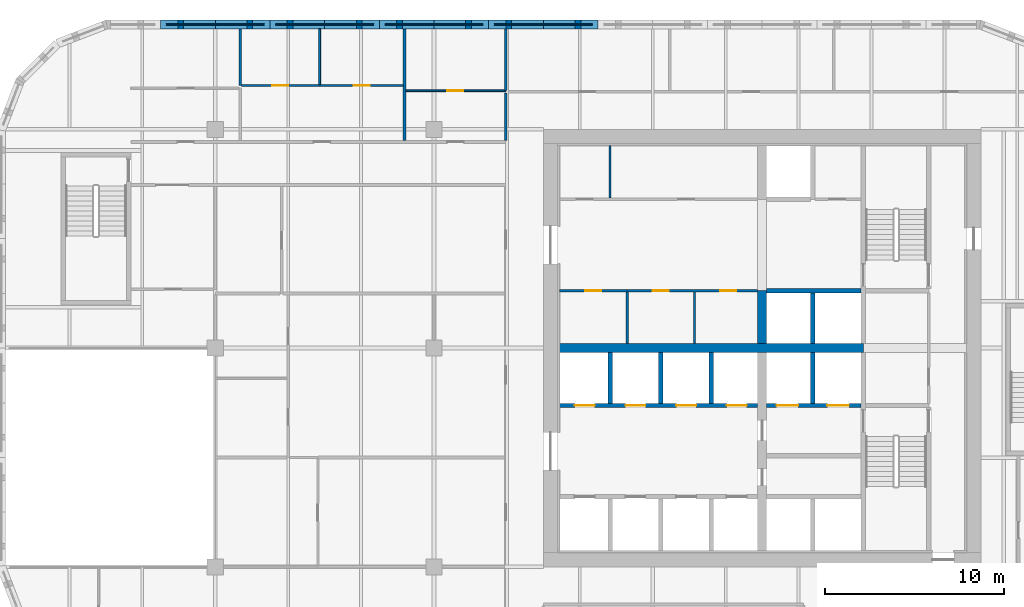
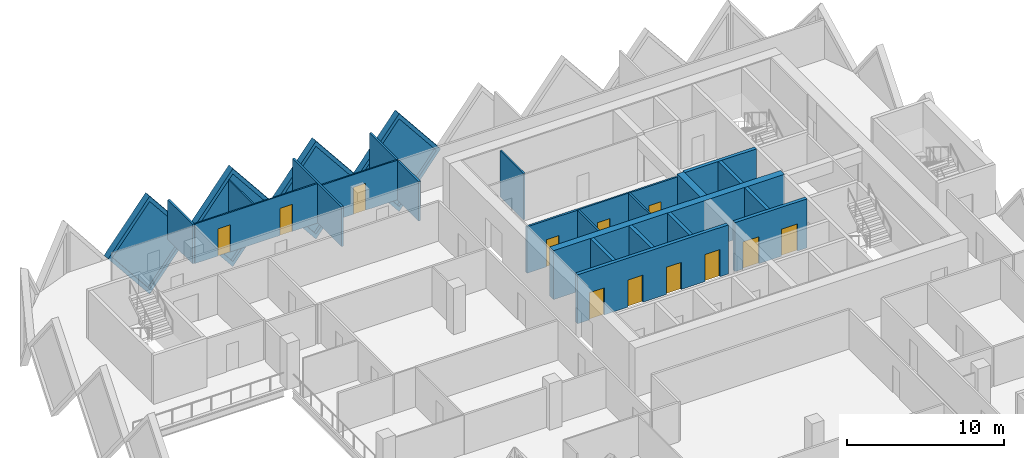
# One storey, part 9 of 18: 26 walls, 12 doors, 4 plates, 16 openings.
"""IFC4 building model written with IfcOpenShell, lengths in metres."""

from ifc_helpers import new_model, si_unit, direction, frame, frame_2d, origin, place, context, subcontext, project, spatial, polyline, rectangle, outline, extrude, faceted_brep, source, transform, mapped, material, layer, layer_set, type_object, element, fill, save


model = new_model("IFC4")

# Units and contexts
model_context = context("Model", 3, precision=1e-05, world=origin(), true_north=direction((0.0, 1.0)))
body_context = subcontext(model_context, "Body", "Model", "MODEL_VIEW")
ifc_project = project(units=[si_unit("LENGTHUNIT", "METRE"), si_unit("AREAUNIT", "SQUARE_METRE"), si_unit("VOLUMEUNIT", "CUBIC_METRE"), si_unit("PLANEANGLEUNIT", "RADIAN"), si_unit("MASSUNIT", "GRAM", prefix="KILO")], contexts=[model_context])

# Site, building, storey
site_placement = place(None, origin())
site = spatial("IfcSite", under=ifc_project, at=site_placement, CompositionType="ELEMENT")
building_placement = place(site_placement, origin())
building = spatial("IfcBuilding", under=site, at=building_placement, Name="Tessera Gate Towers", CompositionType="ELEMENT")
storey_placement = place(building_placement, frame((0.0, 0.0, 99.0)))
storey = spatial("IfcBuildingStorey", under=building, at=storey_placement, Name="L24", CompositionType="ELEMENT", Elevation=99.0)

# Wall, openings, doors
ifc_material_1 = material(Name="Concrete C40/50", Category="concrete")
ifc_layer_1 = layer(ifc_material_1, 0.25)
ifc_layer_set_1 = layer_set([ifc_layer_1], Name="CORE ENCLOSURE WALL 250")
wall_type_1 = type_object("IfcWallType", Name="CORE ENCLOSURE WALL 250", PredefinedType="SOLIDWALL", material=ifc_layer_set_1)
wall_1_placement = place(storey_placement, frame((42.449951171875, 33.39990234375, 0.0), z_axis=(0.0, 0.0, 1.0), x_axis=(-1.0, 0.0, 0.0)))
wall_1 = element("IfcWall", 1, at=wall_1_placement, inside=storey, type_object=wall_type_1, Name="L24 shaft and stair enclosure wall", PredefinedType="SOLIDWALL", context=body_context, shape_type="SweptSolid", body=[
    extrude(rectangle(XDim=11.050048828125, YDim=0.25, at=frame_2d((5.52490234375, 0.0))), origin(), (0.0, 0.0, 1.0), 3.800048828125),
])
shared_shape_1 = source(origin(), body_context, "Body", "SweptSolid", [
    extrude(rectangle(XDim=1.10009765625, YDim=2.10009765625, at=frame_2d((0.550048828125, 1.050048828125))), frame((0.0, 0.135009765625, 0.0), z_axis=(0.0, -1.0, 0.0), x_axis=(1.0, 0.0, 0.0)), (0.0, 0.0, 1.0), 0.27001953125),
])
opening_1_placement = place(wall_1_placement, frame((9.08740234375, 0.0, 0.0)))
opening_1 = element("IfcOpeningElement", 2, at=opening_1_placement, cuts=wall_1, Name="Opening LD-LR5", PredefinedType="OPENING", context=body_context, shape_type="MappedRepresentation", body=[
    mapped(shared_shape_1, transform((0.0, 0.0, 0.0), scale=1.0)),
])
opening_2_placement = place(wall_1_placement, frame((6.262451171875, 0.0, 0.0)))
opening_2 = element("IfcOpeningElement", 3, at=opening_2_placement, cuts=wall_1, Name="Opening LD-LR6", PredefinedType="OPENING", context=body_context, shape_type="MappedRepresentation", body=[
    mapped(shared_shape_1, transform((0.0, 0.0, 0.0), scale=1.0)),
])
opening_3_placement = place(wall_1_placement, frame((3.4375, 0.0, 0.0)))
opening_3 = element("IfcOpeningElement", 4, at=opening_3_placement, cuts=wall_1, Name="Opening LD-LR7", PredefinedType="OPENING", context=body_context, shape_type="MappedRepresentation", body=[
    mapped(shared_shape_1, transform((0.0, 0.0, 0.0), scale=1.0)),
])
opening_4_placement = place(wall_1_placement, frame((0.612548828125, 0.0, 0.0)))
opening_4 = element("IfcOpeningElement", 5, at=opening_4_placement, cuts=wall_1, Name="Opening LD-LR8", PredefinedType="OPENING", context=body_context, shape_type="MappedRepresentation", body=[
    mapped(shared_shape_1, transform((0.0, 0.0, 0.0), scale=1.0)),
])
ifc_material_2 = material(Name="Stainless steel", Category="steel")
door_type_1 = type_object("IfcDoorType", Name="CORE DOOR LD 1100x2100", OperationType="DOUBLE_DOOR_SLIDING", PredefinedType="DOOR", material=ifc_material_2)
shared_shape_2 = source(origin(), body_context, "Body", "SweptSolid", [
    extrude(rectangle(XDim=1.10009765625, YDim=2.10009765625, at=frame_2d((0.550048828125, 1.050048828125))), frame((0.0, 0.02490234375, 0.0), z_axis=(0.0, -1.0, 0.0), x_axis=(1.0, 0.0, 0.0)), (0.0, 0.0, 1.0), 0.050048828125),
])
door_1_placement = place(opening_1_placement, origin())
door_1 = element("IfcDoor", 6, at=door_1_placement, inside=storey, type_object=door_type_1, Name="Landing door LR5 L24", OperationType="DOUBLE_DOOR_SLIDING", OverallHeight=2.10009765625, OverallWidth=1.10009765625, PredefinedType="DOOR", context=body_context, shape_type="MappedRepresentation", body=[
    mapped(shared_shape_2, transform((0.0, 0.0, 0.0), scale=1.0)),
])
fill(opening_1, door_1)
door_2_placement = place(opening_2_placement, origin())
door_2 = element("IfcDoor", 7, at=door_2_placement, inside=storey, type_object=door_type_1, Name="Landing door LR6 L24", OperationType="DOUBLE_DOOR_SLIDING", OverallHeight=2.10009765625, OverallWidth=1.10009765625, PredefinedType="DOOR", context=body_context, shape_type="MappedRepresentation", body=[
    mapped(shared_shape_2, transform((0.0, 0.0, 0.0), scale=1.0)),
])
fill(opening_2, door_2)
door_3_placement = place(opening_3_placement, origin())
door_3 = element("IfcDoor", 8, at=door_3_placement, inside=storey, type_object=door_type_1, Name="Landing door LR7 L24", OperationType="DOUBLE_DOOR_SLIDING", OverallHeight=2.10009765625, OverallWidth=1.10009765625, PredefinedType="DOOR", context=body_context, shape_type="MappedRepresentation", body=[
    mapped(shared_shape_2, transform((0.0, 0.0, 0.0), scale=1.0)),
])
fill(opening_3, door_3)
door_4_placement = place(opening_4_placement, origin())
door_4 = element("IfcDoor", 9, at=door_4_placement, inside=storey, type_object=door_type_1, Name="Landing door LR8 L24", OperationType="DOUBLE_DOOR_SLIDING", OverallHeight=2.10009765625, OverallWidth=1.10009765625, PredefinedType="DOOR", context=body_context, shape_type="MappedRepresentation", body=[
    mapped(shared_shape_2, transform((0.0, 0.0, 0.0), scale=1.0)),
])
fill(opening_4, door_4)

wall_2_placement = place(storey_placement, frame((48.22509765625, 33.39990234375, 0.0), z_axis=(0.0, 0.0, 1.0), x_axis=(-1.0, 0.0, 0.0)))
wall_2 = element("IfcWall", 10, at=wall_2_placement, inside=storey, type_object=wall_type_1, Name="L24 shaft and stair enclosure wall", PredefinedType="SOLIDWALL", context=body_context, shape_type="SweptSolid", body=[
    extrude(rectangle(XDim=5.275146484375, YDim=0.25, at=frame_2d((2.6376953125, 0.0))), origin(), (0.0, 0.0, 1.0), 3.800048828125),
])
shared_shape_3 = source(origin(), body_context, "Body", "SweptSolid", [
    extrude(rectangle(XDim=1.199951171875, YDim=2.10009765625, at=frame_2d((0.60009765625, 1.050048828125))), frame((0.0, 0.135009765625, 0.0), z_axis=(0.0, -1.0, 0.0), x_axis=(1.0, 0.0, 0.0)), (0.0, 0.0, 1.0), 0.27001953125),
])
opening_5_placement = place(wall_2_placement, frame((3.512451171875, 0.0, 0.0)))
opening_5 = element("IfcOpeningElement", 11, at=opening_5_placement, cuts=wall_2, Name="Opening LD-FF1", PredefinedType="OPENING", context=body_context, shape_type="MappedRepresentation", body=[
    mapped(shared_shape_3, transform((0.0, 0.0, 0.0), scale=1.0)),
])
opening_6_placement = place(wall_2_placement, frame((0.6875, 0.0, 0.0)))
opening_6 = element("IfcOpeningElement", 12, at=opening_6_placement, cuts=wall_2, Name="Opening LD-FF2", PredefinedType="OPENING", context=body_context, shape_type="MappedRepresentation", body=[
    mapped(shared_shape_3, transform((0.0, 0.0, 0.0), scale=1.0)),
])
ifc_material_3 = material(Name="Stainless steel", Category="steel")
door_type_2 = type_object("IfcDoorType", Name="CORE DOOR LD1200 1200x2100", OperationType="DOUBLE_DOOR_SLIDING", PredefinedType="DOOR", material=ifc_material_3)
shared_shape_4 = source(origin(), body_context, "Body", "SweptSolid", [
    extrude(rectangle(XDim=1.199951171875, YDim=2.10009765625, at=frame_2d((0.60009765625, 1.050048828125))), frame((0.0, 0.02490234375, 0.0), z_axis=(0.0, -1.0, 0.0), x_axis=(1.0, 0.0, 0.0)), (0.0, 0.0, 1.0), 0.050048828125),
])
door_5_placement = place(opening_5_placement, origin())
door_5 = element("IfcDoor", 13, at=door_5_placement, inside=storey, type_object=door_type_2, Name="Landing door FF1 L24", OperationType="DOUBLE_DOOR_SLIDING", OverallHeight=2.10009765625, OverallWidth=1.199951171875, PredefinedType="DOOR", context=body_context, shape_type="MappedRepresentation", body=[
    mapped(shared_shape_4, transform((0.0, 0.0, 0.0), scale=1.0)),
])
fill(opening_5, door_5)
door_6_placement = place(opening_6_placement, origin())
door_6 = element("IfcDoor", 14, at=door_6_placement, inside=storey, type_object=door_type_2, Name="Landing door FF2 L24", OperationType="DOUBLE_DOOR_SLIDING", OverallHeight=2.10009765625, OverallWidth=1.199951171875, PredefinedType="DOOR", context=body_context, shape_type="MappedRepresentation", body=[
    mapped(shared_shape_4, transform((0.0, 0.0, 0.0), scale=1.0)),
])
fill(opening_6, door_6)

# Walls
wall_3_placement = place(storey_placement, frame((42.949951171875, 39.800048828125, 0.0), z_axis=(0.0, 0.0, 1.0), x_axis=(1.0, 0.0, 0.0)))
element("IfcWall", 15, at=wall_3_placement, inside=storey, type_object=wall_type_1, Name="L24 shaft and stair enclosure wall", PredefinedType="SOLIDWALL", context=body_context, shape_type="SweptSolid", body=[
    extrude(rectangle(XDim=5.275146484375, YDim=0.25, at=frame_2d((2.6376953125, 0.0))), origin(), (0.0, 0.0, 1.0), 3.800048828125),
])
wall_4_placement = place(storey_placement, frame((45.52490234375, 33.52490234375, 0.0), z_axis=(0.0, 0.0, 1.0), x_axis=(0.0, 1.0, 0.0)))
element("IfcWall", 16, at=wall_4_placement, inside=storey, type_object=wall_type_1, Name="L24 shaft and stair enclosure wall", PredefinedType="SOLIDWALL", context=body_context, shape_type="SweptSolid", body=[
    extrude(rectangle(XDim=2.8251953125, YDim=0.25, at=frame_2d((1.41259765625, 0.0))), origin(), (0.0, 0.0, 1.0), 3.800048828125),
])
wall_5_placement = place(storey_placement, frame((45.52490234375, 36.85009765625, 0.0), z_axis=(0.0, 0.0, 1.0), x_axis=(0.0, 1.0, 0.0)))
element("IfcWall", 17, at=wall_5_placement, inside=storey, type_object=wall_type_1, Name="L24 shaft and stair enclosure wall", PredefinedType="SOLIDWALL", context=body_context, shape_type="SweptSolid", body=[
    extrude(rectangle(XDim=2.824951171875, YDim=0.25, at=frame_2d((1.41259765625, 0.0))), origin(), (0.0, 0.0, 1.0), 3.800048828125),
])
for number, where, z_axis, x_axis, name in (
    (18, (34.22509765625, 33.52490234375, 0.0), (0.0, 0.0, 1.0), (0.0, 1.0, 0.0), "L24 shaft and stair enclosure wall"),
    (19, (37.050048828125, 33.52490234375, 0.0), (0.0, 0.0, 1.0), (0.0, 1.0, 0.0), "L24 shaft and stair enclosure wall"),
    (20, (39.875, 33.52490234375, 0.0), (0.0, 0.0, 1.0), (0.0, 1.0, 0.0), "L24 shaft and stair enclosure wall"),
):
    element("IfcWall", number, at=place(storey_placement, frame(where, z_axis=z_axis, x_axis=x_axis)), inside=storey, type_object=wall_type_1, Name=name, PredefinedType="SOLIDWALL", context=body_context, shape_type="SweptSolid", body=[
        extrude(rectangle(XDim=2.8251953125, YDim=0.25, at=frame_2d((1.41259765625, 0.0))), origin(), (0.0, 0.0, 1.0), 3.800048828125),
    ])

# Wall, openings, doors
ifc_material_4 = material(Name="Gypsum board on steel studs", Category="steel")
ifc_layer_2 = layer(ifc_material_4, 0.1201171875)
ifc_layer_set_2 = layer_set([ifc_layer_2], Name="CORE PARTITION 120")
wall_type_2 = type_object("IfcWallType", Name="CORE PARTITION 120", PredefinedType="PARTITIONING", material=ifc_layer_set_2)
wall_6_placement = place(storey_placement, frame((42.449951171875, 39.800048828125, 0.0), z_axis=(0.0, 0.0, 1.0), x_axis=(-1.0, 0.0, 0.0)))
wall_6 = element("IfcWall", 21, at=wall_6_placement, inside=storey, type_object=wall_type_2, Name="L24 core partition", PredefinedType="PARTITIONING", context=body_context, shape_type="SweptSolid", body=[
    extrude(rectangle(XDim=7.27490234375, YDim=0.1201171875, at=frame_2d((3.637451171875, 0.0))), origin(), (0.0, 0.0, 1.0), 3.60009765625),
])
shared_shape_5 = source(origin(), body_context, "Body", "SweptSolid", [
    extrude(rectangle(XDim=0.89990234375, YDim=2.10009765625, at=frame_2d((0.449951171875, 1.050048828125))), frame((0.0, 0.070068359375, 0.0), z_axis=(0.0, -1.0, 0.0), x_axis=(1.0, 0.0, 0.0)), (0.0, 0.0, 1.0), 0.14013671875),
])
opening_7_placement = place(wall_6_placement, frame((4.949951171875, 0.0, 0.0)))
opening_7 = element("IfcOpeningElement", 22, at=opening_7_placement, cuts=wall_6, Name="Opening RD-T1-16-09", PredefinedType="OPENING", context=body_context, shape_type="MappedRepresentation", body=[
    mapped(shared_shape_5, transform((0.0, 0.0, 0.0), scale=1.0)),
])
opening_8_placement = place(wall_6_placement, frame((1.1875, 0.0, 0.0)))
opening_8 = element("IfcOpeningElement", 23, at=opening_8_placement, cuts=wall_6, Name="Opening RD-T1-16-10", PredefinedType="OPENING", context=body_context, shape_type="MappedRepresentation", body=[
    mapped(shared_shape_5, transform((0.0, 0.0, 0.0), scale=1.0)),
])
ifc_material_5 = material(Name="Hollow steel fire door", Category="steel")
door_type_3 = type_object("IfcDoorType", Name="CORE DOOR RD 900x2100", OperationType="NOTDEFINED", PredefinedType="DOOR", material=ifc_material_5)
shared_shape_6 = source(origin(), body_context, "Body", "SweptSolid", [
    extrude(rectangle(XDim=0.89990234375, YDim=2.10009765625, at=frame_2d((0.449951171875, 1.050048828125))), frame((0.0, 0.02490234375, 0.0), z_axis=(0.0, -1.0, 0.0), x_axis=(1.0, 0.0, 0.0)), (0.0, 0.0, 1.0), 0.050048828125),
])
door_7_placement = place(opening_7_placement, origin())
door_7 = element("IfcDoor", 24, at=door_7_placement, inside=storey, type_object=door_type_3, Name="Core room door", OperationType="SINGLE_SWING_RIGHT", OverallHeight=2.10009765625, OverallWidth=0.89990234375, PredefinedType="DOOR", context=body_context, shape_type="MappedRepresentation", body=[
    mapped(shared_shape_6, transform((0.0, 0.0, 0.0), scale=1.0)),
])
fill(opening_7, door_7)
door_8_placement = place(opening_8_placement, origin())
door_8 = element("IfcDoor", 25, at=door_8_placement, inside=storey, type_object=door_type_3, Name="Core room door", OperationType="SINGLE_SWING_LEFT", OverallHeight=2.10009765625, OverallWidth=0.89990234375, PredefinedType="DOOR", context=body_context, shape_type="MappedRepresentation", body=[
    mapped(shared_shape_6, transform((0.0, 0.0, 0.0), scale=1.0)),
])
fill(opening_8, door_8)

# Walls
wall_7_placement = place(storey_placement, frame((38.925048828125, 36.85009765625, 0.0), z_axis=(0.0, 0.0, 1.0), x_axis=(0.0, 1.0, 0.0)))
element("IfcWall", 26, at=wall_7_placement, inside=storey, type_object=wall_type_2, Name="L24 core partition", PredefinedType="PARTITIONING", context=body_context, shape_type="SweptSolid", body=[
    extrude(rectangle(XDim=2.889892578125, YDim=0.1201171875, at=frame_2d((1.44482421875, 0.0))), origin(), (0.0, 0.0, 1.0), 3.60009765625),
])
wall_8_placement = place(storey_placement, frame((34.22509765625, 44.9599609375, 0.0), z_axis=(0.0, 0.0, 1.0), x_axis=(0.0, 1.0, 0.0)))
element("IfcWall", 27, at=wall_8_placement, inside=storey, type_object=wall_type_2, Name="L24 core partition", PredefinedType="PARTITIONING", context=body_context, shape_type="SweptSolid", body=[
    extrude(rectangle(XDim=2.93994140625, YDim=0.1201171875, at=frame_2d((1.469970703125, 0.0))), origin(), (0.0, 0.0, 1.0), 3.60009765625),
])
ifc_material_6 = material(Name="Concrete C60/75", Category="concrete")
ifc_layer_3 = layer(ifc_material_6, 0.5)
ifc_layer_set_3 = layer_set([ifc_layer_3], Name="CORE SPINE WALL 500 C60/75")
wall_type_3 = type_object("IfcWallType", Name="CORE SPINE WALL 500 C60/75", PredefinedType="SHEAR", material=ifc_layer_set_3)
wall_9_placement = place(storey_placement, frame((31.39990234375, 36.60009765625, 0.0), z_axis=(0.0, 0.0, 1.0), x_axis=(1.0, 0.0, 0.0)))
element("IfcWall", 28, at=wall_9_placement, inside=storey, type_object=wall_type_3, Name="Core wall spine L24", PredefinedType="SHEAR", context=body_context, shape_type="SweptSolid", body=[
    extrude(rectangle(XDim=16.9501953125, YDim=0.5, at=frame_2d((8.47509765625, 0.0))), origin(), (0.0, 0.0, 1.0), 3.800048828125),
])
wall_10_placement = place(storey_placement, frame((42.699951171875, 36.85009765625, 0.0), z_axis=(0.0, 0.0, 1.0), x_axis=(0.0, 1.0, 0.0)))
element("IfcWall", 29, at=wall_10_placement, inside=storey, type_object=wall_type_3, Name="Core wall spine L24", PredefinedType="SHEAR", context=body_context, shape_type="SweptSolid", body=[
    extrude(rectangle(XDim=2.949951171875, YDim=0.5, at=frame_2d((1.47509765625, 0.0))), origin(), (0.0, 0.0, 1.0), 3.800048828125),
])
ifc_material_7 = material(Name="Gypsum board on steel studs, mineral wool", Category="steel")
ifc_layer_4 = layer(ifc_material_7, 0.14990234375)
ifc_layer_set_4 = layer_set([ifc_layer_4], Name="CORRIDOR WALL 150")
wall_type_4 = type_object("IfcWallType", Name="CORRIDOR WALL 150", PredefinedType="PARTITIONING", material=ifc_layer_set_4)
wall_11_placement = place(storey_placement, frame((28.39990234375, 48.176025390625, 0.0), z_axis=(0.0, 0.0, 1.0), x_axis=(0.0, 1.0, 0.0)))
element("IfcWall", 30, at=wall_11_placement, inside=storey, type_object=wall_type_4, Name="T1-L24-PW-047", PredefinedType="PARTITIONING", context=body_context, shape_type="SweptSolid", body=[
    extrude(rectangle(XDim=2.64794921875, YDim=0.14990234375, at=frame_2d((1.323974609375, 0.0))), origin(), (0.0, 0.0, 1.0), 3.06689453125),
])

# Wall, opening, door
ifc_material_8 = material(Name="Gypsum board on steel studs", Category="steel")
ifc_layer_5 = layer(ifc_material_8, 0.10009765625)
ifc_layer_set_5 = layer_set([ifc_layer_5], Name="PARTITION 100")
wall_type_5 = type_object("IfcWallType", Name="PARTITION 100", PredefinedType="PARTITIONING", material=ifc_layer_set_5)
wall_12_placement = place(storey_placement, frame((22.825927734375, 50.949951171875, 0.0), z_axis=(0.0, 0.0, 1.0), x_axis=(1.0, 0.0, 0.0)))
wall_12 = element("IfcWall", 31, at=wall_12_placement, inside=storey, type_object=wall_type_5, Name="T1-L24-PW-049", PredefinedType="PARTITIONING", context=body_context, shape_type="SweptSolid", body=[
    extrude(rectangle(XDim=5.572998046875, YDim=0.10009765625, at=frame_2d((2.78662109375, 0.0))), origin(), (0.0, 0.0, 1.0), 3.06689453125),
])
shared_shape_7 = source(origin(), body_context, "Body", "SweptSolid", [
    extrude(rectangle(XDim=0.89990234375, YDim=2.10009765625, at=frame_2d((0.449951171875, 1.050048828125))), frame((0.0, 0.06005859375, 0.0), z_axis=(0.0, -1.0, 0.0), x_axis=(1.0, 0.0, 0.0)), (0.0, 0.0, 1.0), 0.1201171875),
])
opening_9_placement = place(wall_12_placement, frame((2.300048828125, 0.0, 0.0)))
opening_9 = element("IfcOpeningElement", 32, at=opening_9_placement, cuts=wall_12, Name="Opening D190-A09-06", PredefinedType="OPENING", context=body_context, shape_type="MappedRepresentation", body=[
    mapped(shared_shape_7, transform((0.0, 0.0, 0.0), scale=1.0)),
])
ifc_material_9 = material(Name="Timber door leaf in steel frame", Category="steel")
door_type_4 = type_object("IfcDoorType", Name="INTERNAL DOOR 900 NOT RATED", OperationType="NOTDEFINED", PredefinedType="DOOR", material=ifc_material_9)
door_9_placement = place(opening_9_placement, origin())
door_9 = element("IfcDoor", 33, at=door_9_placement, inside=storey, type_object=door_type_4, Name="T1-L24-PD-009", OperationType="SINGLE_SWING_LEFT", OverallHeight=2.10009765625, OverallWidth=0.89990234375, PredefinedType="DOOR", context=body_context, shape_type="MappedRepresentation", body=[
    mapped(shared_shape_6, transform((0.0, 0.0, 0.0), scale=1.0)),
])
fill(opening_9, door_9)

# Wall, openings, doors
wall_13_placement = place(storey_placement, frame((13.676025390625, 51.25, 0.0), z_axis=(0.0, 0.0, 1.0), x_axis=(1.0, 0.0, 0.0)))
wall_13 = element("IfcWall", 34, at=wall_13_placement, inside=storey, type_object=wall_type_5, Name="T1-L24-PW-055", PredefinedType="PARTITIONING", context=body_context, shape_type="SweptSolid", body=[
    extrude(rectangle(XDim=8.998046875, YDim=0.10009765625, at=frame_2d((4.4990234375, 0.0))), origin(), (0.0, 0.0, 1.0), 3.06689453125),
])
opening_10_placement = place(wall_13_placement, frame((1.699951171875, 0.0, 0.0)))
opening_10 = element("IfcOpeningElement", 35, at=opening_10_placement, cuts=wall_13, Name="Opening D190-A09-01", PredefinedType="OPENING", context=body_context, shape_type="MappedRepresentation", body=[
    mapped(shared_shape_7, transform((0.0, 0.0, 0.0), scale=1.0)),
])
opening_11_placement = place(wall_13_placement, frame((6.244384765625, 0.0, 0.0)))
opening_11 = element("IfcOpeningElement", 36, at=opening_11_placement, cuts=wall_13, Name="Opening D190-A09-05", PredefinedType="OPENING", context=body_context, shape_type="MappedRepresentation", body=[
    mapped(shared_shape_7, transform((0.0, 0.0, 0.0), scale=1.0)),
])
door_10_placement = place(opening_10_placement, origin())
door_10 = element("IfcDoor", 37, at=door_10_placement, inside=storey, type_object=door_type_4, Name="T1-L24-PD-002", OperationType="SINGLE_SWING_LEFT", OverallHeight=2.10009765625, OverallWidth=0.89990234375, PredefinedType="DOOR", context=body_context, shape_type="MappedRepresentation", body=[
    mapped(shared_shape_6, transform((0.0, 0.0, 0.0), scale=1.0)),
])
fill(opening_10, door_10)
door_11_placement = place(opening_11_placement, origin())
door_11 = element("IfcDoor", 38, at=door_11_placement, inside=storey, type_object=door_type_4, Name="T1-L24-PD-006", OperationType="SINGLE_SWING_LEFT", OverallHeight=2.10009765625, OverallWidth=0.89990234375, PredefinedType="DOOR", context=body_context, shape_type="MappedRepresentation", body=[
    mapped(shared_shape_6, transform((0.0, 0.0, 0.0), scale=1.0)),
])
fill(opening_11, door_11)

# Wall
wall_14_placement = place(storey_placement, frame((18.02001953125, 51.301025390625, 0.0), z_axis=(0.0, 0.0, 1.0), x_axis=(0.0, 1.0, 0.0)))
element("IfcWall", 39, at=wall_14_placement, inside=storey, type_object=wall_type_5, Name="T1-L24-PW-056", PredefinedType="PARTITIONING", context=body_context, shape_type="SweptSolid", body=[
    extrude(rectangle(XDim=3.098876953125, YDim=0.10009765625, at=frame_2d((1.54931640625, 0.0))), origin(), (0.0, 0.0, 1.0), 3.06689453125),
])

# Wall, opening, door
ifc_material_10 = material(Name="Gypsum board on steel studs", Category="steel")
ifc_layer_6 = layer(ifc_material_10, 0.14990234375)
ifc_layer_set_6 = layer_set([ifc_layer_6], Name="SERVICE ROOM WALL 150")
wall_type_6 = type_object("IfcWallType", Name="SERVICE ROOM WALL 150", PredefinedType="PARTITIONING", material=ifc_layer_set_6)
wall_15_placement = place(storey_placement, frame((35.175048828125, 39.800048828125, 0.0), z_axis=(0.0, 0.0, 1.0), x_axis=(-1.0, 0.0, 0.0)))
wall_15 = element("IfcWall", 40, at=wall_15_placement, inside=storey, type_object=wall_type_6, Name="L24 service room wall", PredefinedType="PARTITIONING", context=body_context, shape_type="SweptSolid", body=[
    extrude(rectangle(XDim=3.775146484375, YDim=0.14990234375, at=frame_2d((1.8876953125, 0.0))), origin(), (0.0, 0.0, 1.0), 3.60009765625),
])
shared_shape_8 = source(origin(), body_context, "Body", "SweptSolid", [
    extrude(rectangle(XDim=0.89990234375, YDim=2.10009765625, at=frame_2d((0.449951171875, 1.050048828125))), frame((0.0, 0.0849609375, 0.0), z_axis=(0.0, -1.0, 0.0), x_axis=(1.0, 0.0, 0.0)), (0.0, 0.0, 1.0), 0.169921875),
])
opening_12_placement = place(wall_15_placement, frame((1.4375, 0.0, 0.0)))
opening_12 = element("IfcOpeningElement", 41, at=opening_12_placement, cuts=wall_15, Name="Opening RD-T1-16-12", PredefinedType="OPENING", context=body_context, shape_type="MappedRepresentation", body=[
    mapped(shared_shape_8, transform((0.0, 0.0, 0.0), scale=1.0)),
])
door_12_placement = place(opening_12_placement, origin())
door_12 = element("IfcDoor", 42, at=door_12_placement, inside=storey, type_object=door_type_3, Name="Core room door", OperationType="SINGLE_SWING_LEFT", OverallHeight=2.10009765625, OverallWidth=0.89990234375, PredefinedType="DOOR", context=body_context, shape_type="MappedRepresentation", body=[
    mapped(shared_shape_6, transform((0.0, 0.0, 0.0), scale=1.0)),
])
fill(opening_12, door_12)

# Walls
wall_16_placement = place(storey_placement, frame((35.175048828125, 36.85009765625, 0.0), z_axis=(0.0, 0.0, 1.0), x_axis=(0.0, 1.0, 0.0)))
element("IfcWall", 43, at=wall_16_placement, inside=storey, type_object=wall_type_6, Name="L24 service room wall", PredefinedType="PARTITIONING", context=body_context, shape_type="SweptSolid", body=[
    extrude(rectangle(XDim=2.875, YDim=0.14990234375, at=frame_2d((1.4375, 0.0))), origin(), (0.0, 0.0, 1.0), 3.60009765625),
])
ifc_material_11 = material(Name="Gypsum board on steel studs, mineral wool", Category="steel")
ifc_layer_7 = layer(ifc_material_11, 0.14990234375)
ifc_layer_set_7 = layer_set([ifc_layer_7], Name="TENANCY WALL 150")
wall_type_7 = type_object("IfcWallType", Name="TENANCY WALL 150", PredefinedType="PARTITIONING", material=ifc_layer_set_7)
wall_17_placement = place(storey_placement, frame((22.75, 48.176025390625, 0.0), z_axis=(0.0, 0.0, 1.0), x_axis=(0.0, 1.0, 0.0)))
element("IfcWall", 44, at=wall_17_placement, inside=storey, type_object=wall_type_7, Name="T1-L24-PW-046", PredefinedType="PARTITIONING", context=body_context, shape_type="SweptSolid", body=[
    extrude(rectangle(XDim=6.223876953125, YDim=0.14990234375, at=frame_2d((3.11181640625, 0.0))), origin(), (0.0, 0.0, 1.0), 3.06689453125),
])
wall_18_placement = place(storey_placement, frame((28.39990234375, 50.97607421875, 0.0), z_axis=(0.0, 0.0, 1.0), x_axis=(0.0, 1.0, 0.0)))
element("IfcWall", 45, at=wall_18_placement, inside=storey, type_object=wall_type_7, Name="T1-L24-PW-050", PredefinedType="PARTITIONING", context=body_context, shape_type="SweptSolid", body=[
    extrude(rectangle(XDim=3.423828125, YDim=0.14990234375, at=frame_2d((1.7119140625, 0.0))), origin(), (0.0, 0.0, 1.0), 3.06689453125),
])
wall_19_placement = place(storey_placement, frame((13.60009765625, 51.25, 0.0), z_axis=(0.0, 0.0, 1.0), x_axis=(0.0, 1.0, 0.0)))
element("IfcWall", 46, at=wall_19_placement, inside=storey, type_object=wall_type_7, Name="T1-L24-PW-054", PredefinedType="PARTITIONING", context=body_context, shape_type="SweptSolid", body=[
    extrude(rectangle(XDim=3.14990234375, YDim=0.14990234375, at=frame_2d((1.574951171875, 0.0))), origin(), (0.0, 0.0, 1.0), 3.06689453125),
])

# Wall, opening, plate
ifc_material_12 = material(Name="Precast concrete C60/75 white", Category="concrete")
ifc_layer_8 = layer(ifc_material_12, 0.5)
ifc_layer_set_8 = layer_set([ifc_layer_8], Name="TS1 tessera")
wall_type_8 = type_object("IfcWallType", Name="TS1 tessera", PredefinedType="SOLIDWALL", material=ifc_layer_set_8)
shared_shape_9 = source(origin(), body_context, "Body", "Brep", [
    faceted_brep([(3.050048828125, -0.25, 0.0), (6.099853515625, -0.25, 3.7998046875), (6.099853515625, -0.25, 3.80029296875), (3.050048828125, -0.25, 7.60009765625), (0.0, -0.25, 3.800048828125), (0.0, 0.25, 3.800048828125), (3.050048828125, 0.25, 7.60009765625), (6.099853515625, 0.25, 3.80029296875), (6.099853515625, 0.25, 3.7998046875), (3.050048828125, 0.25, 0.0)], [[[0, 1, 2, 3, 4]], [[5, 6, 7, 8, 9]], [[9, 8, 1, 0]], [[7, 6, 3, 2]], [[6, 5, 4, 3]], [[5, 9, 0, 4]], [[1, 8, 7, 2]]]),
])
wall_20_placement = place(storey_placement, frame((27.449951171875, 54.64990234375, -3.800048828125), z_axis=(0.0, 0.0, 1.0), x_axis=(-1.0, 0.0, 0.0)))
wall_20 = element("IfcWall", 47, at=wall_20_placement, inside=storey, type_object=wall_type_8, Name="Precast tessera T1 TS1-0405", PredefinedType="SOLIDWALL", context=body_context, shape_type="MappedRepresentation", body=[
    mapped(shared_shape_9, transform((0.0, 0.0, 0.0), scale=1.0)),
])
shared_shape_10 = source(origin(), body_context, "Body", "SweptSolid", [
    extrude(outline(polyline([(3.050048828125, 0.3994140625), (5.779541015625, 3.800048828125), (3.050048828125, 7.20068359375), (0.320556640625, 3.800048828125), (3.050048828125, 0.3994140625)])), frame((0.0, 0.260009765625, 0.0), z_axis=(0.0, -1.0, 0.0), x_axis=(1.0, 0.0, 0.0)), (0.0, 0.0, 1.0), 0.52001953125),
])
opening_13_placement = place(wall_20_placement, origin())
opening_13 = element("IfcOpeningElement", 48, at=opening_13_placement, cuts=wall_20, Name="Opening T1-PL2-0823", PredefinedType="OPENING", context=body_context, shape_type="MappedRepresentation", body=[
    mapped(shared_shape_10, transform((0.0, 0.0, 0.0), scale=1.0)),
])
ifc_material_13 = material(Name="Low-e laminated glass", Category="glass")
ifc_layer_9 = layer(ifc_material_13, 0.06005859375)
ifc_layer_set_9 = layer_set([ifc_layer_9], Name="PL2 rhombic pane")
plate_type = type_object("IfcPlateType", Name="PL2 rhombic pane", PredefinedType="SHEET", material=ifc_layer_set_9)
shared_shape_11 = source(origin(), body_context, "Body", "SweptSolid", [
    extrude(outline(polyline([(3.050048828125, 0.3994140625), (5.779541015625, 3.800048828125), (3.050048828125, 7.20068359375), (0.320556640625, 3.800048828125), (3.050048828125, 0.3994140625)])), frame((0.0, 0.030029296875, 0.0), z_axis=(0.0, -1.0, 0.0), x_axis=(1.0, 0.0, 0.0)), (0.0, 0.0, 1.0), 0.06005859375),
])
plate_1_placement = place(opening_13_placement, origin())
plate_1 = element("IfcPlate", 49, at=plate_1_placement, inside=storey, type_object=plate_type, Name="Glass pane T1 PL2-0823", PredefinedType="SHEET", context=body_context, shape_type="MappedRepresentation", body=[
    mapped(shared_shape_11, transform((0.0, 0.0, 0.0), scale=1.0)),
])
fill(opening_13, plate_1)

shared_shape_12 = source(origin(), body_context, "Body", "SweptSolid", [
    extrude(outline(polyline([(3.050048828125, 0.0), (6.10009765625, 3.800048828125), (3.050048828125, 7.60009765625), (0.0, 3.800048828125), (3.050048828125, 0.0)])), frame((0.0, 0.25, 0.0), z_axis=(0.0, -1.0, 0.0), x_axis=(1.0, 0.0, 0.0)), (0.0, 0.0, 1.0), 0.5),
])
wall_21_placement = place(storey_placement, frame((33.550048828125, 54.64990234375, -3.800048828125), z_axis=(0.0, 0.0, 1.0), x_axis=(-1.0, 0.0, 0.0)))
wall_21 = element("IfcWall", 50, at=wall_21_placement, inside=storey, type_object=wall_type_8, Name="Precast tessera T1 TS1-0404", PredefinedType="SOLIDWALL", context=body_context, shape_type="MappedRepresentation", body=[
    mapped(shared_shape_12, transform((0.0, 0.0, 0.0), scale=1.0)),
])
opening_14_placement = place(wall_21_placement, origin())
opening_14 = element("IfcOpeningElement", 51, at=opening_14_placement, cuts=wall_21, Name="Opening T1-PL2-0822", PredefinedType="OPENING", context=body_context, shape_type="MappedRepresentation", body=[
    mapped(shared_shape_10, transform((0.0, 0.0, 0.0), scale=1.0)),
])
plate_2_placement = place(opening_14_placement, origin())
plate_2 = element("IfcPlate", 52, at=plate_2_placement, inside=storey, type_object=plate_type, Name="Glass pane T1 PL2-0822", PredefinedType="SHEET", context=body_context, shape_type="MappedRepresentation", body=[
    mapped(shared_shape_11, transform((0.0, 0.0, 0.0), scale=1.0)),
])
fill(opening_14, plate_2)

wall_22_placement = place(storey_placement, frame((21.35009765625, 54.64990234375, -3.800048828125), z_axis=(0.0, 0.0, 1.0), x_axis=(-1.0, 0.0, 0.0)))
wall_22 = element("IfcWall", 53, at=wall_22_placement, inside=storey, type_object=wall_type_8, Name="Precast tessera T1 TS1-0406", PredefinedType="SOLIDWALL", context=body_context, shape_type="MappedRepresentation", body=[
    mapped(shared_shape_12, transform((0.0, 0.0, 0.0), scale=1.0)),
])
opening_15_placement = place(wall_22_placement, origin())
opening_15 = element("IfcOpeningElement", 54, at=opening_15_placement, cuts=wall_22, Name="Opening T1-PL2-0824", PredefinedType="OPENING", context=body_context, shape_type="MappedRepresentation", body=[
    mapped(shared_shape_10, transform((0.0, 0.0, 0.0), scale=1.0)),
])
plate_3_placement = place(opening_15_placement, origin())
plate_3 = element("IfcPlate", 55, at=plate_3_placement, inside=storey, type_object=plate_type, Name="Glass pane T1 PL2-0824", PredefinedType="SHEET", context=body_context, shape_type="MappedRepresentation", body=[
    mapped(shared_shape_11, transform((0.0, 0.0, 0.0), scale=1.0)),
])
fill(opening_15, plate_3)

wall_23_placement = place(storey_placement, frame((15.25, 54.64990234375, -3.800048828125), z_axis=(0.0, 0.0, 1.0), x_axis=(-1.0, 0.0, 0.0)))
wall_23 = element("IfcWall", 56, at=wall_23_placement, inside=storey, type_object=wall_type_8, Name="Precast tessera T1 TS1-0407", PredefinedType="SOLIDWALL", context=body_context, shape_type="MappedRepresentation", body=[
    mapped(shared_shape_12, transform((0.0, 0.0, 0.0), scale=1.0)),
])
opening_16_placement = place(wall_23_placement, origin())
opening_16 = element("IfcOpeningElement", 57, at=opening_16_placement, cuts=wall_23, Name="Opening T1-PL2-0825", PredefinedType="OPENING", context=body_context, shape_type="MappedRepresentation", body=[
    mapped(shared_shape_10, transform((0.0, 0.0, 0.0), scale=1.0)),
])
plate_4_placement = place(opening_16_placement, origin())
plate_4 = element("IfcPlate", 58, at=plate_4_placement, inside=storey, type_object=plate_type, Name="Glass pane T1 PL2-0825", PredefinedType="SHEET", context=body_context, shape_type="MappedRepresentation", body=[
    mapped(shared_shape_11, transform((0.0, 0.0, 0.0), scale=1.0)),
])
fill(opening_16, plate_4)

save(model, "model.ifc")
